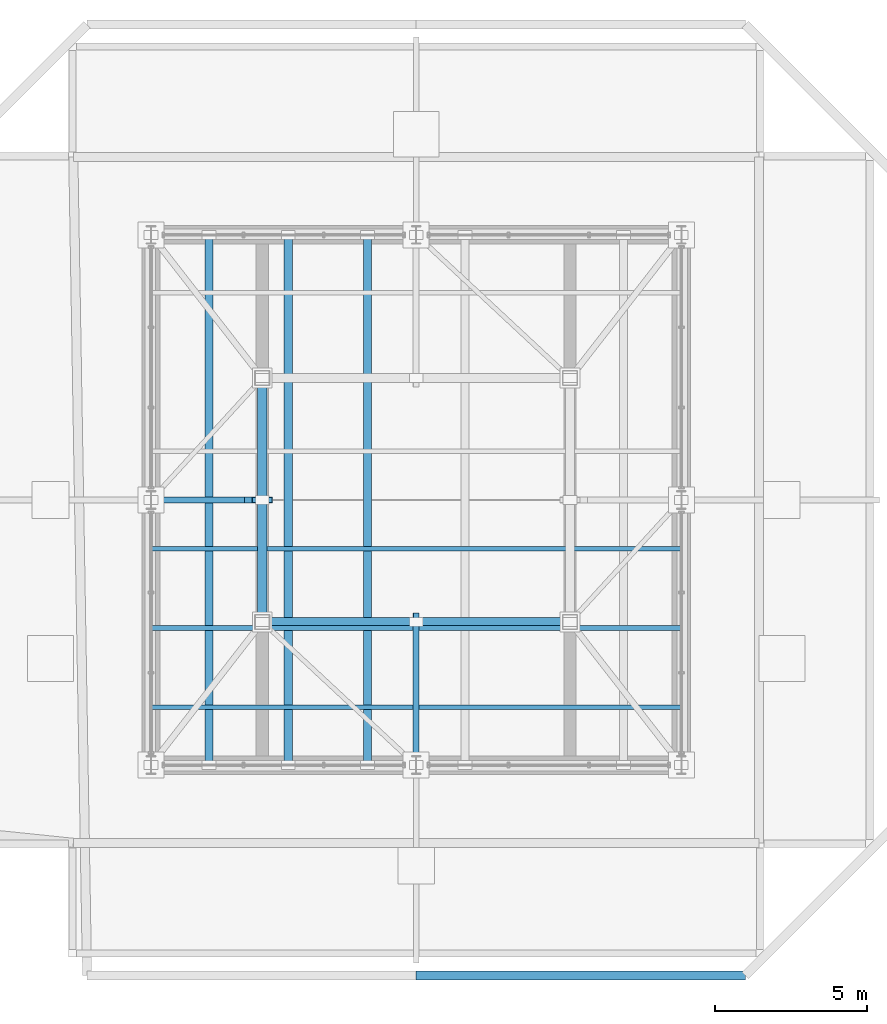
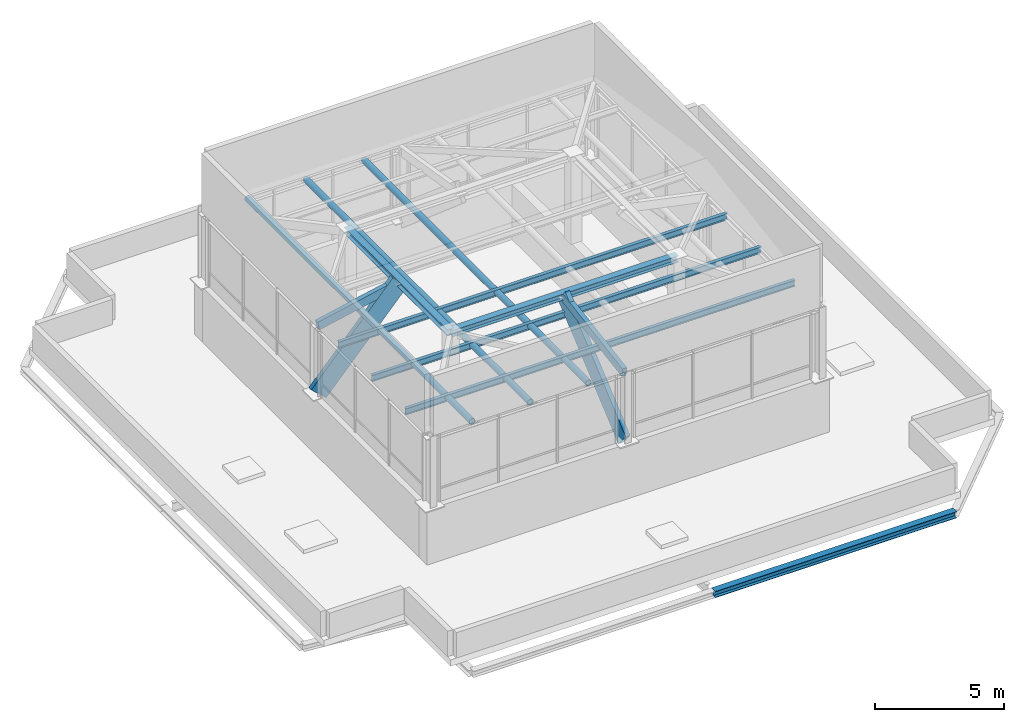
# One storey, part 8 of 22: 8 beams, 5 members.
"""IFC4 building model written with IfcOpenShell, lengths in metres."""

import ifcopenshell
import ifcopenshell.guid

model = None  # the IFC model being written
_history = None  # IfcOwnerHistory: only IFC2X3 demands one
_inside = {}  # id of a spatial element -> (the spatial element, [elements in it])
_under = {}  # id of a project, library or spatial element -> (it, [spatial elements below it])
_declared = {}  # id of a project -> (the project, [libraries it declares])
_typed = {}  # id of a type object -> (the type object, [elements of that type])
_made_of = {}  # id of a material, layer set ... -> (it, [elements and type objects made of it])


def new_model(schema):
    """Start an empty IFC model of exactly this schema.

    Asked for "IFC4X3", IfcOpenShell would pick the latest addendum, in which some entities
    have other attributes; the version numbers below select the first issue.
    IFC2X3 requires an IfcOwnerHistory on every rooted entity: one is made here for all.
    """
    global model, _history
    if schema == "IFC4X3":
        model = ifcopenshell.file(schema_version=(4, 3, 0, 0))
    else:
        model = ifcopenshell.file(schema=schema)
    _inside.clear()
    _under.clear()
    _declared.clear()
    _typed.clear()
    _made_of.clear()
    _history = None
    if model.schema == "IFC2X3":
        org = make("IfcOrganization", Name="unknown")
        user = make(
            "IfcPersonAndOrganization",
            ThePerson=make("IfcPerson", FamilyName="unknown"),
            TheOrganization=org,
        )
        app = make(
            "IfcApplication",
            ApplicationDeveloper=org,
            Version="unknown",
            ApplicationFullName="unknown",
            ApplicationIdentifier="unknown",
        )
        _history = make(
            "IfcOwnerHistory",
            OwningUser=user,
            OwningApplication=app,
            ChangeAction="ADDED",
            CreationDate=0,
        )
    return model


def make(cls, **values):
    """One entity of the class cls with the attributes given. An attribute that is None is left unset."""
    return model.create_entity(
        cls, **{name: value for name, value in values.items() if value is not None}
    )


def rooted(cls, **values):
    """An entity with a GlobalId (a new one), such as an element, a storey or a relation."""
    return make(cls, GlobalId=ifcopenshell.guid.new(), OwnerHistory=_history, **values)


def si_unit(unit_type, name, prefix=None):
    """IfcSIUnit, for example si_unit("LENGTHUNIT", "METRE", prefix="MILLI")."""
    return make("IfcSIUnit", UnitType=unit_type, Prefix=prefix, Name=name)


def assignment(units):
    """IfcUnitAssignment: the units of a project."""
    return None if units is None else make("IfcUnitAssignment", Units=units)


def point(xyz):
    """IfcCartesianPoint."""
    return None if xyz is None else make("IfcCartesianPoint", Coordinates=xyz)


def direction(xyz):
    """IfcDirection."""
    return None if xyz is None else make("IfcDirection", DirectionRatios=xyz)


def frame(location, z_axis=None, x_axis=None):
    """IfcAxis2Placement3D, a coordinate frame: its origin and axes. An axis left out is left unset."""
    return make(
        "IfcAxis2Placement3D",
        Location=point(location),
        Axis=direction(z_axis),
        RefDirection=direction(x_axis),
    )


def frame_2d(location, x_axis=None):
    """IfcAxis2Placement2D, a coordinate frame in the plane: its origin and x axis."""
    return make(
        "IfcAxis2Placement2D", Location=point(location), RefDirection=direction(x_axis)
    )


def origin():
    """The frame at (0, 0, 0) with its axes left unset."""
    return frame((0.0, 0.0, 0.0))


def origin_2d():
    """The frame at (0, 0) in the plane with its x axis left unset."""
    return frame_2d((0.0, 0.0))


def place(relative_to, where):
    """IfcLocalPlacement: puts the frame where relative to a parent placement (None: the world)."""
    return make(
        "IfcLocalPlacement", PlacementRelTo=relative_to, RelativePlacement=where
    )


def context(
    kind, dimensions, precision=None, world=None, true_north=None, identifier=None
):
    """IfcGeometricRepresentationContext, for example the 3D "Model" context."""
    return make(
        "IfcGeometricRepresentationContext",
        ContextIdentifier=identifier,
        ContextType=kind,
        CoordinateSpaceDimension=dimensions,
        Precision=precision,
        WorldCoordinateSystem=world,
        TrueNorth=true_north,
    )


def subcontext(parent, identifier, kind, view, scale=None):
    """IfcGeometricRepresentationSubContext, for example "Body" below "Model"."""
    return make(
        "IfcGeometricRepresentationSubContext",
        ContextIdentifier=identifier,
        ContextType=kind,
        ParentContext=parent,
        TargetScale=scale,
        TargetView=view,
    )


def project(units=None, contexts=None):
    """IfcProject with its units and contexts."""
    return rooted(
        "IfcProject",
        Name="project",
        RepresentationContexts=contexts,
        UnitsInContext=assignment(units),
    )


def spatial(cls, under=None, at=None, **own):
    """A site, building, storey or space (cls), placed at a placement, below another one or the project."""
    s = rooted(cls, ObjectPlacement=at, **own)
    if under is not None:
        _under.setdefault(under.id(), (under, []))[1].append(s)
    return s


def profile(cls, at=None, kind="AREA", **sizes):
    """A parametric profile (cls). Its sizes go by their IFC names, for example OverallWidth=200.0."""
    return make(cls, ProfileType=kind, Position=at, **sizes)


def hollow_rectangle(**sizes):
    """IfcRectangleHollowProfileDef."""
    return profile("IfcRectangleHollowProfileDef", **sizes)


def hollow_circle(**sizes):
    """IfcCircleHollowProfileDef."""
    return profile("IfcCircleHollowProfileDef", **sizes)


def i_section(**sizes):
    """IfcIShapeProfileDef."""
    return profile("IfcIShapeProfileDef", **sizes)


def extrude(swept, where, along, depth):
    """IfcExtrudedAreaSolid: the profile swept, set in the frame where, extruded along a direction by depth."""
    return make(
        "IfcExtrudedAreaSolid",
        SweptArea=swept,
        Position=where,
        ExtrudedDirection=direction(along),
        Depth=depth,
    )


def shape(context_of_items, identifier, shape_type, items):
    """IfcShapeRepresentation: the items that make up one representation, for example the "Body"."""
    return make(
        "IfcShapeRepresentation",
        ContextOfItems=context_of_items,
        RepresentationIdentifier=identifier,
        RepresentationType=shape_type,
        Items=items,
    )


def material(Name=None, Category=None):
    """IfcMaterial."""
    return make("IfcMaterial", Name=Name, Category=Category)


def material_profile(
    of_material, cross_section, Name=None, Category=None, Priority=None
):
    """IfcMaterialProfile: a cross section and its material."""
    return make(
        "IfcMaterialProfile",
        Name=Name,
        Material=of_material,
        Profile=cross_section,
        Priority=Priority,
        Category=Category,
    )


def profile_set(profiles, Name=None, composite=None):
    """IfcMaterialProfileSet."""
    return make(
        "IfcMaterialProfileSet",
        Name=Name,
        MaterialProfiles=profiles,
        CompositeProfile=composite,
    )


def made_of(thing, what):
    """Note that an element or type object is made of a material, layer set ...; save() writes the relation."""
    if what is not None:
        _made_of.setdefault(what.id(), (what, []))[1].append(thing)
    return thing


def type_object(cls, material=None, **own):
    """A type object (cls), such as IfcWallType, which elements share."""
    return made_of(rooted(cls, **own), material)


def element(
    cls,
    number,
    at=None,
    inside=None,
    cuts=None,
    type_object=None,
    material=None,
    context=None,
    identifier="Body",
    shape_type=None,
    held_by="IfcProductDefinitionShape",
    body=None,
    shapes=None,
    **own,
):
    """One element of the class cls, such as IfcWall. Its Tag is "e" and its number.

    at: its placement. inside: the storey or other place that contains it. cuts: it is an
    opening in that element (IfcRelVoidsElement). A single representation is given by context,
    identifier, shape_type and body (its items); several are given by shapes. held_by: the class
    of the entity that holds the representations. save() writes the other relations.
    """
    e = rooted(cls, Tag="e%d" % number, ObjectPlacement=at, **own)
    if body is not None:
        shapes = [shape(context, identifier, shape_type, body)]
    if shapes is not None:
        e.Representation = make(held_by, Representations=shapes)
    if inside is not None:
        _inside.setdefault(inside.id(), (inside, []))[1].append(e)
    if cuts is not None:
        rooted(
            "IfcRelVoidsElement", RelatingBuildingElement=cuts, RelatedOpeningElement=e
        )
    if type_object is not None:
        _typed.setdefault(type_object.id(), (type_object, []))[1].append(e)
    return made_of(e, material)


def aggregate(whole, parts):
    """IfcRelAggregates: a whole, such as a stair, and the parts it consists of."""
    return rooted("IfcRelAggregates", RelatingObject=whole, RelatedObjects=parts)


def save(model, path):
    """Write the relations noted so far, then the file.

    IfcRelAggregates (storeys below a building ...), IfcRelContainedInSpatialStructure (elements
    in a storey), IfcRelDefinesByType, IfcRelAssociatesMaterial and IfcRelDeclares: one each for
    every whole, place, type object, material and project.
    """
    for whole, parts in _under.values():
        aggregate(whole, parts)
    for where, things in _inside.values():
        rooted(
            "IfcRelContainedInSpatialStructure",
            RelatedElements=things,
            RelatingStructure=where,
        )
    for kind, things in _typed.values():
        rooted("IfcRelDefinesByType", RelatedObjects=things, RelatingType=kind)
    for what, things in _made_of.values():
        rooted("IfcRelAssociatesMaterial", RelatedObjects=things, RelatingMaterial=what)
    for by, libraries in _declared.values():
        rooted("IfcRelDeclares", RelatingContext=by, RelatedDefinitions=libraries)
    model.write(path)


model = new_model("IFC4")

# Units and contexts
model_context = context("Model", 3, precision=1e-05, world=origin(), true_north=direction((0.0, 1.0)))
body_context = subcontext(model_context, "Body", "Model", "MODEL_VIEW")
ifc_project = project(units=[si_unit("LENGTHUNIT", "METRE"), si_unit("AREAUNIT", "SQUARE_METRE"), si_unit("VOLUMEUNIT", "CUBIC_METRE"), si_unit("PLANEANGLEUNIT", "RADIAN"), si_unit("MASSUNIT", "GRAM", prefix="KILO")], contexts=[model_context])

# Site, building, storey
site_placement = place(None, origin())
site = spatial("IfcSite", under=ifc_project, at=site_placement, CompositionType="ELEMENT")
building_placement = place(site_placement, origin())
building = spatial("IfcBuilding", under=site, at=building_placement, Name="Belovzor Exchange Tower", CompositionType="ELEMENT")
storey_placement = place(building_placement, frame((0.0, 0.0, 378.60009765625)))
storey = spatial("IfcBuildingStorey", under=building, at=storey_placement, Name="RF", CompositionType="ELEMENT", Elevation=378.60009765625)

# Beams
ifc_material_1 = material(Name="Steel S355", Category="steel")
ifc_material_profile_1 = material_profile(ifc_material_1, hollow_rectangle(XDim=0.199951171875, YDim=0.39990234375, WallThickness=0.012451171875, at=origin_2d()))
ifc_profile_set_1 = profile_set([ifc_material_profile_1], Name="Steel S355")
beam_type_1 = type_object("IfcBeamType", Name="Crown Faceted Roof Rafter RHS 400x200x12.5", PredefinedType="BEAM", material=ifc_profile_set_1)
beam_1_placement = place(storey_placement, frame((28.800048828125, 20.10009765625, 5.7998046875), z_axis=(0.0, 0.986843222912, 0.161680095843), x_axis=(-1.0, 0.0, 0.0)))
element("IfcBeam", 1, at=beam_1_placement, inside=storey, type_object=beam_type_1, Name="RR-400 Crown Faceted Roof Rafter RHS 400x200x12.5", PredefinedType="BEAM", context=body_context, shape_type="SweptSolid", body=[
    extrude(hollow_rectangle(XDim=0.199951171875, YDim=0.39990234375, WallThickness=0.012451171875, at=origin_2d()), origin(), (0.0, 0.0, 1.0), 4.7626953125),
])
beam_2_placement = place(storey_placement, frame((20.10009765625, 28.800048828125, 5.7998046875), z_axis=(0.978462199953, 0.0, 0.206426072151), x_axis=(0.0, 1.0, 0.0)))
element("IfcBeam", 2, at=beam_2_placement, inside=storey, type_object=beam_type_1, Name="RR-400 Crown Faceted Roof Rafter RHS 400x200x12.5", PredefinedType="BEAM", context=body_context, shape_type="SweptSolid", body=[
    extrude(hollow_rectangle(XDim=0.199951171875, YDim=0.39990234375, WallThickness=0.012451171875, at=origin_2d()), origin(), (0.0, 0.0, 1.0), 3.730224609375),
])

# Members
ifc_material_2 = material(Name="Steel S355", Category="steel")
ifc_material_profile_2 = material_profile(ifc_material_2, hollow_circle(Radius=0.136474609375, WallThickness=0.012451171875, at=origin_2d()))
ifc_profile_set_2 = profile_set([ifc_material_profile_2], Name="Steel S355")
member_type_1 = type_object("IfcMemberType", Name="Crown Lateral Tie Strut CHS 273x12.5", PredefinedType="STRUT", material=ifc_profile_set_2)
for number, where, z_axis, x_axis, name in (
    (3, (22.0, 20.10009765625, 5.849853515625), (0.0, 1.0, 0.0), (-1.0, 0.0, 0.0), "CS-273 Crown Lateral Tie Strut CHS 273x12.5"),
    (4, (24.60009765625, 20.10009765625, 5.849853515625), (0.0, 1.0, 0.0), (-1.0, 0.0, 0.0), "CS-273 Crown Lateral Tie Strut CHS 273x12.5"),
    (5, (27.199951171875, 20.10009765625, 5.849853515625), (0.0, 1.0, 0.0), (-1.0, 0.0, 0.0), "CS-273 Crown Lateral Tie Strut CHS 273x12.5"),
):
    element("IfcMember", number, at=place(storey_placement, frame(where, z_axis=z_axis, x_axis=x_axis)), inside=storey, type_object=member_type_1, Name=name, PredefinedType="STRUT", context=body_context, shape_type="SweptSolid", body=[
        extrude(hollow_circle(Radius=0.136474609375, WallThickness=0.012451171875, at=origin_2d()), origin(), (0.0, 0.0, 1.0), 17.39990234375),
    ])

# Beams
ifc_material_3 = material(Name="Steel S355", Category="steel")
ifc_material_profile_3 = material_profile(ifc_material_3, i_section(OverallWidth=0.300048828125, OverallDepth=0.300048828125, WebThickness=0.010986328125, FlangeThickness=0.01904296875, at=origin_2d()))
ifc_profile_set_3 = profile_set([ifc_material_profile_3], Name="Steel S355")
beam_type_2 = type_object("IfcBeamType", Name="Crown Plant Primary Beam HEB 300", PredefinedType="BEAM", material=ifc_profile_set_3)
beam_3_placement = place(storey_placement, frame((28.800048828125, 13.199951171875, -0.4501953125), z_axis=(1.0, 0.0, 0.0), x_axis=(0.0, 1.0, 0.0)))
element("IfcBeam", 6, at=beam_3_placement, inside=storey, type_object=beam_type_2, Name="FG-CR Crown Plant Primary Beam HEB 300", PredefinedType="BEAM", context=body_context, shape_type="SweptSolid", body=[
    extrude(i_section(OverallWidth=0.300048828125, OverallDepth=0.300048828125, WebThickness=0.010986328125, FlangeThickness=0.01904296875, at=origin_2d()), origin(), (0.0, 0.0, 1.0), 10.800048828125),
])
ifc_material_4 = material(Name="Steel S355", Category="steel")
ifc_material_profile_4 = material_profile(ifc_material_4, i_section(OverallWidth=0.300048828125, OverallDepth=0.300048828125, WebThickness=0.008544921875, FlangeThickness=0.013916015625, at=origin_2d()))
ifc_profile_set_4 = profile_set([ifc_material_profile_4], Name="Steel S355")
beam_type_3 = type_object("IfcBeamType", Name="Crown Ring & Trim Beam HEA 300", PredefinedType="BEAM", material=ifc_profile_set_4)
beam_4_placement = place(storey_placement, frame((23.75, 24.800048828125, 6.619873046875), z_axis=(1.0, 0.0, 0.0), x_axis=(0.0, 1.0, 0.0)))
element("IfcBeam", 7, at=beam_4_placement, inside=storey, type_object=beam_type_3, Name="CB-CR Crown Ring & Trim Beam HEA 300", PredefinedType="BEAM", context=body_context, shape_type="SweptSolid", body=[
    extrude(i_section(OverallWidth=0.300048828125, OverallDepth=0.300048828125, WebThickness=0.008544921875, FlangeThickness=0.013916015625, at=origin_2d()), origin(), (0.0, 0.0, 1.0), 10.10009765625),
])
beam_5_placement = place(storey_placement, frame((23.75, 32.800048828125, 6.619873046875), z_axis=(0.0, -1.0, 0.0), x_axis=(1.0, 0.0, 0.0)))
element("IfcBeam", 8, at=beam_5_placement, inside=storey, type_object=beam_type_3, Name="CB-CR Crown Ring & Trim Beam HEA 300", PredefinedType="BEAM", context=body_context, shape_type="SweptSolid", body=[
    extrude(i_section(OverallWidth=0.300048828125, OverallDepth=0.300048828125, WebThickness=0.008544921875, FlangeThickness=0.013916015625, at=origin_2d()), origin(), (0.0, 0.0, 1.0), 8.0),
])
ifc_material_5 = material(Name="Steel S355", Category="steel")
ifc_material_profile_5 = material_profile(ifc_material_5, i_section(OverallWidth=0.14990234375, OverallDepth=0.300048828125, WebThickness=0.007080078125, FlangeThickness=0.0107421875, at=origin_2d()))
ifc_profile_set_5 = profile_set([ifc_material_profile_5], Name="Steel S355")
beam_type_4 = type_object("IfcBeamType", Name="Crown Roof Cap Steel Purlin IPE 300", PredefinedType="BEAM", material=ifc_profile_set_5)
for number, where, z_axis, x_axis, name in (
    (9, (20.10009765625, 22.0, 5.849853515625), (1.0, 0.0, 0.0), (0.0, 1.0, 0.0), "RP-300 Crown Roof Cap Steel Purlin IPE 300"),
    (10, (20.10009765625, 24.60009765625, 5.849853515625), (1.0, 0.0, 0.0), (0.0, 1.0, 0.0), "RP-300 Crown Roof Cap Steel Purlin IPE 300"),
    (11, (20.10009765625, 27.199951171875, 5.849853515625), (1.0, 0.0, 0.0), (0.0, 1.0, 0.0), "RP-300 Crown Roof Cap Steel Purlin IPE 300"),
):
    element("IfcBeam", number, at=place(storey_placement, frame(where, z_axis=z_axis, x_axis=x_axis)), inside=storey, type_object=beam_type_4, Name=name, PredefinedType="BEAM", context=body_context, shape_type="SweptSolid", body=[
        extrude(i_section(OverallWidth=0.14990234375, OverallDepth=0.300048828125, WebThickness=0.007080078125, FlangeThickness=0.0107421875, at=origin_2d()), origin(), (0.0, 0.0, 1.0), 17.39990234375),
    ])

# Members
ifc_material_6 = material(Name="Extruded Architectural Terracotta on Steel S355 Carrier", Category="masonry")
ifc_material_profile_6 = material_profile(ifc_material_6, hollow_rectangle(XDim=0.199951171875, YDim=0.89990234375, WallThickness=0.011962890625, at=origin_2d()))
ifc_profile_set_6 = profile_set([ifc_material_profile_6], Name="Extruded Architectural Terracotta on Steel S355 Carrier")
member_type_2 = type_object("IfcMemberType", Name="Sweeping Terracotta Baguette Fin Assembly 1250", PredefinedType="USERDEFINED", material=ifc_profile_set_6)
member_1_placement = place(storey_placement, frame((28.800048828125, 20.10009765625, 2.599853515625), z_axis=(0.0, 0.759936089402, 0.649997800015), x_axis=(-1.0, 0.0, 0.0)))
element("IfcMember", 12, at=member_1_placement, inside=storey, type_object=member_type_2, Name="FIN-TC125 Raked Crown Speed Pylon S", ObjectType="FIN", PredefinedType="USERDEFINED", context=body_context, shape_type="SweptSolid", body=[
    extrude(hollow_rectangle(XDim=0.199951171875, YDim=0.89990234375, WallThickness=0.011962890625, at=origin_2d()), origin(), (0.0, 0.0, 1.0), 6.1845703125),
])
member_2_placement = place(storey_placement, frame((20.10009765625, 28.800048828125, 2.599853515625), z_axis=(0.672202678985, 0.0, 0.740367178071), x_axis=(0.0, 1.0, 0.0)))
element("IfcMember", 13, at=member_2_placement, inside=storey, type_object=member_type_2, Name="FIN-TC125 Raked Crown Speed Pylon W", ObjectType="FIN", PredefinedType="USERDEFINED", context=body_context, shape_type="SweptSolid", body=[
    extrude(hollow_rectangle(XDim=0.199951171875, YDim=0.89990234375, WallThickness=0.011962890625, at=origin_2d()), origin(), (0.0, 0.0, 1.0), 5.4296875),
])

save(model, "model.ifc")
